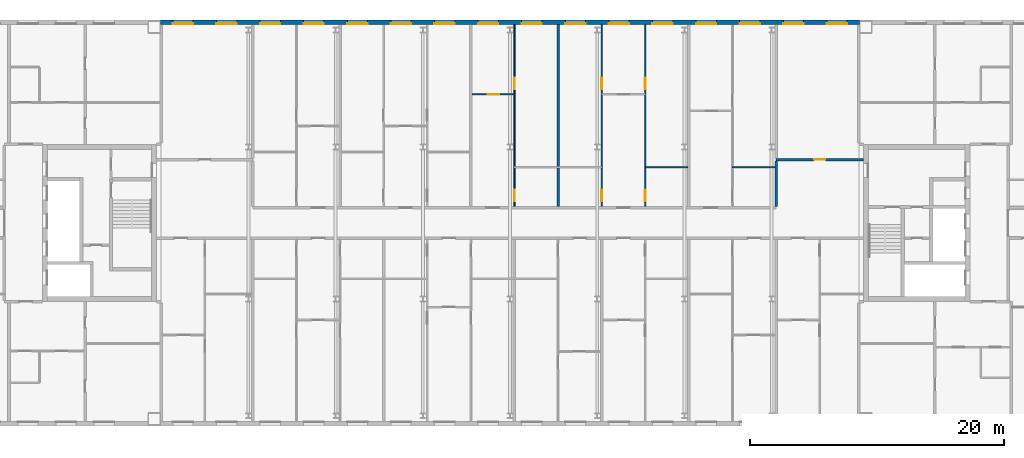
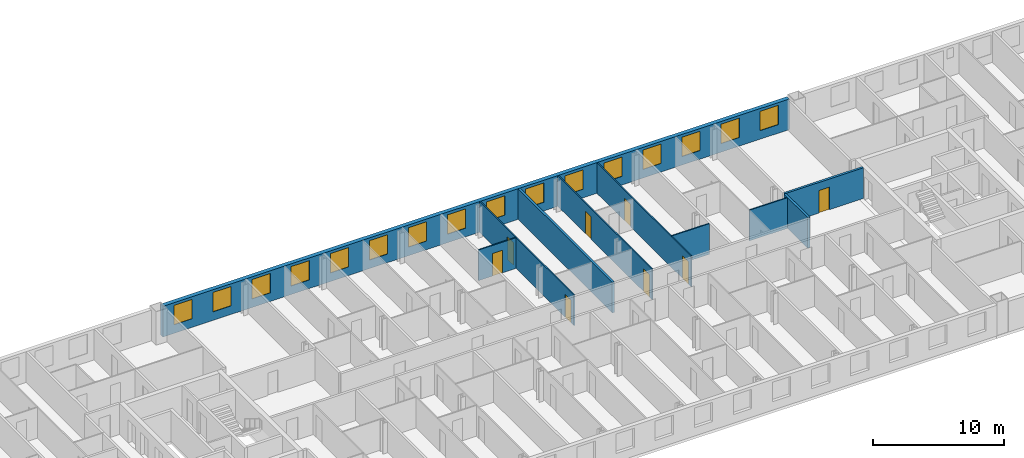
# One storey, part 12 of 19: 16 windows, 10 walls, 8 doors, 24 openings.
"""IFC4 building model written with IfcOpenShell, lengths in metres."""

from ifc_helpers import new_model, si_unit, direction, frame, frame_2d, origin, place, context, subcontext, project, spatial, rectangle, extrude, material, layer, layer_set, type_object, element, fill, save


model = new_model("IFC4")

# Units and contexts
model_context = context("Model", 3, precision=1e-05, world=origin(), true_north=direction((0.0, 1.0)))
body_context = subcontext(model_context, "Body", "Model", "MODEL_VIEW")
ifc_project = project(units=[si_unit("LENGTHUNIT", "METRE"), si_unit("AREAUNIT", "SQUARE_METRE"), si_unit("VOLUMEUNIT", "CUBIC_METRE"), si_unit("PLANEANGLEUNIT", "RADIAN"), si_unit("MASSUNIT", "GRAM", prefix="KILO")], contexts=[model_context])

# Site, building, storey
site_placement = place(None, origin())
site = spatial("IfcSite", under=ifc_project, at=site_placement, CompositionType="ELEMENT")
building_placement = place(site_placement, origin())
building = spatial("IfcBuilding", under=site, at=building_placement, Name="Tuart Gate Housing", CompositionType="ELEMENT")
storey_placement = place(building_placement, frame((0.0, 0.0, 227.60009765625)))
storey = spatial("IfcBuildingStorey", under=building, at=storey_placement, Name="L64", CompositionType="ELEMENT", Elevation=227.60009765625)

# Wall, openings, windows
ifc_material_1 = material(Name="Brick", Category="masonry")
ifc_layer_1 = layer(ifc_material_1, 0.360107421875)
ifc_layer_set_1 = layer_set([ifc_layer_1], Name="Brick pier and spandrel wall 360")
wall_type_1 = type_object("IfcWallType", Name="Brick pier and spandrel wall 360", PredefinedType="STANDARD", material=ifc_layer_set_1)
wall_1_placement = place(storey_placement, frame((131.050048828125, 85.820068359375, 0.0), z_axis=(0.0, 0.0, 1.0), x_axis=(-1.0, 0.0, 0.0)))
wall_1 = element("IfcWall", 1, at=wall_1_placement, inside=storey, type_object=wall_type_1, Name="External wall BLK-N L64", PredefinedType="STANDARD", context=body_context, shape_type="SweptSolid", body=[
    extrude(rectangle(XDim=55.10009765625, YDim=0.360107421875, at=frame_2d((27.550048828125, 0.0))), origin(), (0.0, 0.0, 1.0), 2.849853515625),
])
opening_1_placement = place(wall_1_placement, frame((0.96875, 0.0, 0.800048828125)))
opening_1 = element("IfcOpeningElement", 2, at=opening_1_placement, cuts=wall_1, Name="Opening W1", PredefinedType="OPENING", context=body_context, shape_type="SweptSolid", body=[
    extrude(rectangle(XDim=1.60009765625, YDim=1.800048828125, at=frame_2d((0.800048828125, 0.89990234375))), frame((0.0, 0.18994140625, 0.0), z_axis=(0.0, -1.0, 0.0), x_axis=(1.0, 0.0, 0.0)), (0.0, 0.0, 1.0), 0.380126953125),
])
opening_2_placement = place(wall_1_placement, frame((4.40625, 0.0, 0.800048828125)))
opening_2 = element("IfcOpeningElement", 3, at=opening_2_placement, cuts=wall_1, Name="Opening W1", PredefinedType="OPENING", context=body_context, shape_type="SweptSolid", body=[
    extrude(rectangle(XDim=1.60009765625, YDim=1.800048828125, at=frame_2d((0.800048828125, 0.89990234375))), frame((0.0, 0.18994140625, 0.0), z_axis=(0.0, -1.0, 0.0), x_axis=(1.0, 0.0, 0.0)), (0.0, 0.0, 1.0), 0.380126953125),
])
opening_3_placement = place(wall_1_placement, frame((7.84375, 0.0, 0.800048828125)))
opening_3 = element("IfcOpeningElement", 4, at=opening_3_placement, cuts=wall_1, Name="Opening W1", PredefinedType="OPENING", context=body_context, shape_type="SweptSolid", body=[
    extrude(rectangle(XDim=1.60009765625, YDim=1.800048828125, at=frame_2d((0.800048828125, 0.89990234375))), frame((0.0, 0.18994140625, 0.0), z_axis=(0.0, -1.0, 0.0), x_axis=(1.0, 0.0, 0.0)), (0.0, 0.0, 1.0), 0.380126953125),
])
opening_4_placement = place(wall_1_placement, frame((11.28125, 0.0, 0.800048828125)))
opening_4 = element("IfcOpeningElement", 5, at=opening_4_placement, cuts=wall_1, Name="Opening W1", PredefinedType="OPENING", context=body_context, shape_type="SweptSolid", body=[
    extrude(rectangle(XDim=1.60009765625, YDim=1.800048828125, at=frame_2d((0.800048828125, 0.89990234375))), frame((0.0, 0.18994140625, 0.0), z_axis=(0.0, -1.0, 0.0), x_axis=(1.0, 0.0, 0.0)), (0.0, 0.0, 1.0), 0.380126953125),
])
opening_5_placement = place(wall_1_placement, frame((14.71875, 0.0, 0.800048828125)))
opening_5 = element("IfcOpeningElement", 6, at=opening_5_placement, cuts=wall_1, Name="Opening W1", PredefinedType="OPENING", context=body_context, shape_type="SweptSolid", body=[
    extrude(rectangle(XDim=1.60009765625, YDim=1.800048828125, at=frame_2d((0.800048828125, 0.89990234375))), frame((0.0, 0.18994140625, 0.0), z_axis=(0.0, -1.0, 0.0), x_axis=(1.0, 0.0, 0.0)), (0.0, 0.0, 1.0), 0.380126953125),
])
opening_6_placement = place(wall_1_placement, frame((18.15625, 0.0, 0.800048828125)))
opening_6 = element("IfcOpeningElement", 7, at=opening_6_placement, cuts=wall_1, Name="Opening W1", PredefinedType="OPENING", context=body_context, shape_type="SweptSolid", body=[
    extrude(rectangle(XDim=1.60009765625, YDim=1.800048828125, at=frame_2d((0.800048828125, 0.89990234375))), frame((0.0, 0.18994140625, 0.0), z_axis=(0.0, -1.0, 0.0), x_axis=(1.0, 0.0, 0.0)), (0.0, 0.0, 1.0), 0.380126953125),
])
opening_7_placement = place(wall_1_placement, frame((21.59375, 0.0, 0.800048828125)))
opening_7 = element("IfcOpeningElement", 8, at=opening_7_placement, cuts=wall_1, Name="Opening W1", PredefinedType="OPENING", context=body_context, shape_type="SweptSolid", body=[
    extrude(rectangle(XDim=1.60009765625, YDim=1.800048828125, at=frame_2d((0.800048828125, 0.89990234375))), frame((0.0, 0.18994140625, 0.0), z_axis=(0.0, -1.0, 0.0), x_axis=(1.0, 0.0, 0.0)), (0.0, 0.0, 1.0), 0.380126953125),
])
opening_8_placement = place(wall_1_placement, frame((25.03125, 0.0, 0.800048828125)))
opening_8 = element("IfcOpeningElement", 9, at=opening_8_placement, cuts=wall_1, Name="Opening W1", PredefinedType="OPENING", context=body_context, shape_type="SweptSolid", body=[
    extrude(rectangle(XDim=1.60009765625, YDim=1.800048828125, at=frame_2d((0.800048828125, 0.89990234375))), frame((0.0, 0.18994140625, 0.0), z_axis=(0.0, -1.0, 0.0), x_axis=(1.0, 0.0, 0.0)), (0.0, 0.0, 1.0), 0.380126953125),
])
opening_9_placement = place(wall_1_placement, frame((28.46875, 0.0, 0.800048828125)))
opening_9 = element("IfcOpeningElement", 10, at=opening_9_placement, cuts=wall_1, Name="Opening W1", PredefinedType="OPENING", context=body_context, shape_type="SweptSolid", body=[
    extrude(rectangle(XDim=1.60009765625, YDim=1.800048828125, at=frame_2d((0.800048828125, 0.89990234375))), frame((0.0, 0.18994140625, 0.0), z_axis=(0.0, -1.0, 0.0), x_axis=(1.0, 0.0, 0.0)), (0.0, 0.0, 1.0), 0.380126953125),
])
opening_10_placement = place(wall_1_placement, frame((31.90625, 0.0, 0.800048828125)))
opening_10 = element("IfcOpeningElement", 11, at=opening_10_placement, cuts=wall_1, Name="Opening W1", PredefinedType="OPENING", context=body_context, shape_type="SweptSolid", body=[
    extrude(rectangle(XDim=1.60009765625, YDim=1.800048828125, at=frame_2d((0.800048828125, 0.89990234375))), frame((0.0, 0.18994140625, 0.0), z_axis=(0.0, -1.0, 0.0), x_axis=(1.0, 0.0, 0.0)), (0.0, 0.0, 1.0), 0.380126953125),
])
opening_11_placement = place(wall_1_placement, frame((35.34375, 0.0, 0.800048828125)))
opening_11 = element("IfcOpeningElement", 12, at=opening_11_placement, cuts=wall_1, Name="Opening W1", PredefinedType="OPENING", context=body_context, shape_type="SweptSolid", body=[
    extrude(rectangle(XDim=1.60009765625, YDim=1.800048828125, at=frame_2d((0.800048828125, 0.89990234375))), frame((0.0, 0.18994140625, 0.0), z_axis=(0.0, -1.0, 0.0), x_axis=(1.0, 0.0, 0.0)), (0.0, 0.0, 1.0), 0.380126953125),
])
opening_12_placement = place(wall_1_placement, frame((38.78125, 0.0, 0.800048828125)))
opening_12 = element("IfcOpeningElement", 13, at=opening_12_placement, cuts=wall_1, Name="Opening W1", PredefinedType="OPENING", context=body_context, shape_type="SweptSolid", body=[
    extrude(rectangle(XDim=1.60009765625, YDim=1.800048828125, at=frame_2d((0.800048828125, 0.89990234375))), frame((0.0, 0.18994140625, 0.0), z_axis=(0.0, -1.0, 0.0), x_axis=(1.0, 0.0, 0.0)), (0.0, 0.0, 1.0), 0.380126953125),
])
opening_13_placement = place(wall_1_placement, frame((42.21875, 0.0, 0.800048828125)))
opening_13 = element("IfcOpeningElement", 14, at=opening_13_placement, cuts=wall_1, Name="Opening W1", PredefinedType="OPENING", context=body_context, shape_type="SweptSolid", body=[
    extrude(rectangle(XDim=1.60009765625, YDim=1.800048828125, at=frame_2d((0.800048828125, 0.89990234375))), frame((0.0, 0.18994140625, 0.0), z_axis=(0.0, -1.0, 0.0), x_axis=(1.0, 0.0, 0.0)), (0.0, 0.0, 1.0), 0.380126953125),
])
opening_14_placement = place(wall_1_placement, frame((45.65625, 0.0, 0.800048828125)))
opening_14 = element("IfcOpeningElement", 15, at=opening_14_placement, cuts=wall_1, Name="Opening W1", PredefinedType="OPENING", context=body_context, shape_type="SweptSolid", body=[
    extrude(rectangle(XDim=1.60009765625, YDim=1.800048828125, at=frame_2d((0.800048828125, 0.89990234375))), frame((0.0, 0.18994140625, 0.0), z_axis=(0.0, -1.0, 0.0), x_axis=(1.0, 0.0, 0.0)), (0.0, 0.0, 1.0), 0.380126953125),
])
opening_15_placement = place(wall_1_placement, frame((49.09375, 0.0, 0.800048828125)))
opening_15 = element("IfcOpeningElement", 16, at=opening_15_placement, cuts=wall_1, Name="Opening W1", PredefinedType="OPENING", context=body_context, shape_type="SweptSolid", body=[
    extrude(rectangle(XDim=1.60009765625, YDim=1.800048828125, at=frame_2d((0.800048828125, 0.89990234375))), frame((0.0, 0.18994140625, 0.0), z_axis=(0.0, -1.0, 0.0), x_axis=(1.0, 0.0, 0.0)), (0.0, 0.0, 1.0), 0.380126953125),
])
opening_16_placement = place(wall_1_placement, frame((52.53125, 0.0, 0.800048828125)))
opening_16 = element("IfcOpeningElement", 17, at=opening_16_placement, cuts=wall_1, Name="Opening W1", PredefinedType="OPENING", context=body_context, shape_type="SweptSolid", body=[
    extrude(rectangle(XDim=1.60009765625, YDim=1.800048828125, at=frame_2d((0.800048828125, 0.89990234375))), frame((0.0, 0.18994140625, 0.0), z_axis=(0.0, -1.0, 0.0), x_axis=(1.0, 0.0, 0.0)), (0.0, 0.0, 1.0), 0.380126953125),
])
ifc_material_2 = material(Name="Aluminium frame with clear glass", Category="aluminium")
window_type = type_object("IfcWindowType", Name="Punched window 1600 x 1800", PartitioningType="SINGLE_PANEL", PredefinedType="WINDOW", material=ifc_material_2)
window_1_placement = place(opening_1_placement, origin())
window_1 = element("IfcWindow", 18, at=window_1_placement, inside=storey, type_object=window_type, Name="Window W1", OverallHeight=1.800048828125, OverallWidth=1.60009765625, PartitioningType="SINGLE_PANEL", PredefinedType="WINDOW", context=body_context, shape_type="SweptSolid", body=[
    extrude(rectangle(XDim=1.60009765625, YDim=1.800048828125, at=frame_2d((0.800048828125, 0.89990234375))), frame((0.0, 0.150146484375, 0.0), z_axis=(0.0, -1.0, 0.0), x_axis=(1.0, 0.0, 0.0)), (0.0, 0.0, 1.0), 0.06005859375),
])
fill(opening_1, window_1)
window_2_placement = place(opening_2_placement, origin())
window_2 = element("IfcWindow", 19, at=window_2_placement, inside=storey, type_object=window_type, Name="Window W1", OverallHeight=1.800048828125, OverallWidth=1.60009765625, PartitioningType="SINGLE_PANEL", PredefinedType="WINDOW", context=body_context, shape_type="SweptSolid", body=[
    extrude(rectangle(XDim=1.60009765625, YDim=1.800048828125, at=frame_2d((0.800048828125, 0.89990234375))), frame((0.0, 0.150146484375, 0.0), z_axis=(0.0, -1.0, 0.0), x_axis=(1.0, 0.0, 0.0)), (0.0, 0.0, 1.0), 0.06005859375),
])
fill(opening_2, window_2)
window_3_placement = place(opening_3_placement, origin())
window_3 = element("IfcWindow", 20, at=window_3_placement, inside=storey, type_object=window_type, Name="Window W1", OverallHeight=1.800048828125, OverallWidth=1.60009765625, PartitioningType="SINGLE_PANEL", PredefinedType="WINDOW", context=body_context, shape_type="SweptSolid", body=[
    extrude(rectangle(XDim=1.60009765625, YDim=1.800048828125, at=frame_2d((0.800048828125, 0.89990234375))), frame((0.0, 0.150146484375, 0.0), z_axis=(0.0, -1.0, 0.0), x_axis=(1.0, 0.0, 0.0)), (0.0, 0.0, 1.0), 0.06005859375),
])
fill(opening_3, window_3)
window_4_placement = place(opening_4_placement, origin())
window_4 = element("IfcWindow", 21, at=window_4_placement, inside=storey, type_object=window_type, Name="Window W1", OverallHeight=1.800048828125, OverallWidth=1.60009765625, PartitioningType="SINGLE_PANEL", PredefinedType="WINDOW", context=body_context, shape_type="SweptSolid", body=[
    extrude(rectangle(XDim=1.60009765625, YDim=1.800048828125, at=frame_2d((0.800048828125, 0.89990234375))), frame((0.0, 0.150146484375, 0.0), z_axis=(0.0, -1.0, 0.0), x_axis=(1.0, 0.0, 0.0)), (0.0, 0.0, 1.0), 0.06005859375),
])
fill(opening_4, window_4)
window_5_placement = place(opening_5_placement, origin())
window_5 = element("IfcWindow", 22, at=window_5_placement, inside=storey, type_object=window_type, Name="Window W1", OverallHeight=1.800048828125, OverallWidth=1.60009765625, PartitioningType="SINGLE_PANEL", PredefinedType="WINDOW", context=body_context, shape_type="SweptSolid", body=[
    extrude(rectangle(XDim=1.60009765625, YDim=1.800048828125, at=frame_2d((0.800048828125, 0.89990234375))), frame((0.0, 0.150146484375, 0.0), z_axis=(0.0, -1.0, 0.0), x_axis=(1.0, 0.0, 0.0)), (0.0, 0.0, 1.0), 0.06005859375),
])
fill(opening_5, window_5)
window_6_placement = place(opening_6_placement, origin())
window_6 = element("IfcWindow", 23, at=window_6_placement, inside=storey, type_object=window_type, Name="Window W1", OverallHeight=1.800048828125, OverallWidth=1.60009765625, PartitioningType="SINGLE_PANEL", PredefinedType="WINDOW", context=body_context, shape_type="SweptSolid", body=[
    extrude(rectangle(XDim=1.60009765625, YDim=1.800048828125, at=frame_2d((0.800048828125, 0.89990234375))), frame((0.0, 0.150146484375, 0.0), z_axis=(0.0, -1.0, 0.0), x_axis=(1.0, 0.0, 0.0)), (0.0, 0.0, 1.0), 0.06005859375),
])
fill(opening_6, window_6)
window_7_placement = place(opening_7_placement, origin())
window_7 = element("IfcWindow", 24, at=window_7_placement, inside=storey, type_object=window_type, Name="Window W1", OverallHeight=1.800048828125, OverallWidth=1.60009765625, PartitioningType="SINGLE_PANEL", PredefinedType="WINDOW", context=body_context, shape_type="SweptSolid", body=[
    extrude(rectangle(XDim=1.60009765625, YDim=1.800048828125, at=frame_2d((0.800048828125, 0.89990234375))), frame((0.0, 0.150146484375, 0.0), z_axis=(0.0, -1.0, 0.0), x_axis=(1.0, 0.0, 0.0)), (0.0, 0.0, 1.0), 0.06005859375),
])
fill(opening_7, window_7)
window_8_placement = place(opening_8_placement, origin())
window_8 = element("IfcWindow", 25, at=window_8_placement, inside=storey, type_object=window_type, Name="Window W1", OverallHeight=1.800048828125, OverallWidth=1.60009765625, PartitioningType="SINGLE_PANEL", PredefinedType="WINDOW", context=body_context, shape_type="SweptSolid", body=[
    extrude(rectangle(XDim=1.60009765625, YDim=1.800048828125, at=frame_2d((0.800048828125, 0.89990234375))), frame((0.0, 0.150146484375, 0.0), z_axis=(0.0, -1.0, 0.0), x_axis=(1.0, 0.0, 0.0)), (0.0, 0.0, 1.0), 0.06005859375),
])
fill(opening_8, window_8)
window_9_placement = place(opening_9_placement, origin())
window_9 = element("IfcWindow", 26, at=window_9_placement, inside=storey, type_object=window_type, Name="Window W1", OverallHeight=1.800048828125, OverallWidth=1.60009765625, PartitioningType="SINGLE_PANEL", PredefinedType="WINDOW", context=body_context, shape_type="SweptSolid", body=[
    extrude(rectangle(XDim=1.60009765625, YDim=1.800048828125, at=frame_2d((0.800048828125, 0.89990234375))), frame((0.0, 0.150146484375, 0.0), z_axis=(0.0, -1.0, 0.0), x_axis=(1.0, 0.0, 0.0)), (0.0, 0.0, 1.0), 0.06005859375),
])
fill(opening_9, window_9)
window_10_placement = place(opening_10_placement, origin())
window_10 = element("IfcWindow", 27, at=window_10_placement, inside=storey, type_object=window_type, Name="Window W1", OverallHeight=1.800048828125, OverallWidth=1.60009765625, PartitioningType="SINGLE_PANEL", PredefinedType="WINDOW", context=body_context, shape_type="SweptSolid", body=[
    extrude(rectangle(XDim=1.60009765625, YDim=1.800048828125, at=frame_2d((0.800048828125, 0.89990234375))), frame((0.0, 0.150146484375, 0.0), z_axis=(0.0, -1.0, 0.0), x_axis=(1.0, 0.0, 0.0)), (0.0, 0.0, 1.0), 0.06005859375),
])
fill(opening_10, window_10)
window_11_placement = place(opening_11_placement, origin())
window_11 = element("IfcWindow", 28, at=window_11_placement, inside=storey, type_object=window_type, Name="Window W1", OverallHeight=1.800048828125, OverallWidth=1.60009765625, PartitioningType="SINGLE_PANEL", PredefinedType="WINDOW", context=body_context, shape_type="SweptSolid", body=[
    extrude(rectangle(XDim=1.60009765625, YDim=1.800048828125, at=frame_2d((0.800048828125, 0.89990234375))), frame((0.0, 0.150146484375, 0.0), z_axis=(0.0, -1.0, 0.0), x_axis=(1.0, 0.0, 0.0)), (0.0, 0.0, 1.0), 0.06005859375),
])
fill(opening_11, window_11)
window_12_placement = place(opening_12_placement, origin())
window_12 = element("IfcWindow", 29, at=window_12_placement, inside=storey, type_object=window_type, Name="Window W1", OverallHeight=1.800048828125, OverallWidth=1.60009765625, PartitioningType="SINGLE_PANEL", PredefinedType="WINDOW", context=body_context, shape_type="SweptSolid", body=[
    extrude(rectangle(XDim=1.60009765625, YDim=1.800048828125, at=frame_2d((0.800048828125, 0.89990234375))), frame((0.0, 0.150146484375, 0.0), z_axis=(0.0, -1.0, 0.0), x_axis=(1.0, 0.0, 0.0)), (0.0, 0.0, 1.0), 0.06005859375),
])
fill(opening_12, window_12)
window_13_placement = place(opening_13_placement, origin())
window_13 = element("IfcWindow", 30, at=window_13_placement, inside=storey, type_object=window_type, Name="Window W1", OverallHeight=1.800048828125, OverallWidth=1.60009765625, PartitioningType="SINGLE_PANEL", PredefinedType="WINDOW", context=body_context, shape_type="SweptSolid", body=[
    extrude(rectangle(XDim=1.60009765625, YDim=1.800048828125, at=frame_2d((0.800048828125, 0.89990234375))), frame((0.0, 0.150146484375, 0.0), z_axis=(0.0, -1.0, 0.0), x_axis=(1.0, 0.0, 0.0)), (0.0, 0.0, 1.0), 0.06005859375),
])
fill(opening_13, window_13)
window_14_placement = place(opening_14_placement, origin())
window_14 = element("IfcWindow", 31, at=window_14_placement, inside=storey, type_object=window_type, Name="Window W1", OverallHeight=1.800048828125, OverallWidth=1.60009765625, PartitioningType="SINGLE_PANEL", PredefinedType="WINDOW", context=body_context, shape_type="SweptSolid", body=[
    extrude(rectangle(XDim=1.60009765625, YDim=1.800048828125, at=frame_2d((0.800048828125, 0.89990234375))), frame((0.0, 0.150146484375, 0.0), z_axis=(0.0, -1.0, 0.0), x_axis=(1.0, 0.0, 0.0)), (0.0, 0.0, 1.0), 0.06005859375),
])
fill(opening_14, window_14)
window_15_placement = place(opening_15_placement, origin())
window_15 = element("IfcWindow", 32, at=window_15_placement, inside=storey, type_object=window_type, Name="Window W1", OverallHeight=1.800048828125, OverallWidth=1.60009765625, PartitioningType="SINGLE_PANEL", PredefinedType="WINDOW", context=body_context, shape_type="SweptSolid", body=[
    extrude(rectangle(XDim=1.60009765625, YDim=1.800048828125, at=frame_2d((0.800048828125, 0.89990234375))), frame((0.0, 0.150146484375, 0.0), z_axis=(0.0, -1.0, 0.0), x_axis=(1.0, 0.0, 0.0)), (0.0, 0.0, 1.0), 0.06005859375),
])
fill(opening_15, window_15)
window_16_placement = place(opening_16_placement, origin())
window_16 = element("IfcWindow", 33, at=window_16_placement, inside=storey, type_object=window_type, Name="Window W1", OverallHeight=1.800048828125, OverallWidth=1.60009765625, PartitioningType="SINGLE_PANEL", PredefinedType="WINDOW", context=body_context, shape_type="SweptSolid", body=[
    extrude(rectangle(XDim=1.60009765625, YDim=1.800048828125, at=frame_2d((0.800048828125, 0.89990234375))), frame((0.0, 0.150146484375, 0.0), z_axis=(0.0, -1.0, 0.0), x_axis=(1.0, 0.0, 0.0)), (0.0, 0.0, 1.0), 0.06005859375),
])
fill(opening_16, window_16)

# Wall, opening, door
ifc_material_3 = material(Name="Concrete masonry 15 MPa", Category="masonry")
ifc_layer_2 = layer(ifc_material_3, 0.199951171875)
ifc_layer_set_2 = layer_set([ifc_layer_2], Name="Corridor wall masonry 200")
wall_type_2 = type_object("IfcWallType", Name="Corridor wall masonry 200", PredefinedType="PARTITIONING", material=ifc_layer_set_2)
wall_2_placement = place(storey_placement, frame((124.47509765625, 75.0, 0.0), z_axis=(0.0, 0.0, 1.0), x_axis=(1.0, 0.0, 0.0)))
wall_2 = element("IfcWall", 34, at=wall_2_placement, inside=storey, type_object=wall_type_2, Name="Corridor wall masonry 200", PredefinedType="PARTITIONING", context=body_context, shape_type="SweptSolid", body=[
    extrude(rectangle(XDim=6.885009765625, YDim=0.199951171875, at=frame_2d((3.4423828125, 0.0))), origin(), (0.0, 0.0, 1.0), 2.849853515625),
])
opening_17_placement = place(wall_2_placement, frame((2.992431640625, 0.0, 0.0)))
opening_17 = element("IfcOpeningElement", 35, at=opening_17_placement, cuts=wall_2, Name="Opening D2353", PredefinedType="OPENING", context=body_context, shape_type="SweptSolid", body=[
    extrude(rectangle(XDim=0.89990234375, YDim=2.10009765625, at=frame_2d((0.449951171875, 1.050048828125))), frame((0.0, 0.10986328125, 0.0), z_axis=(0.0, -1.0, 0.0), x_axis=(1.0, 0.0, 0.0)), (0.0, 0.0, 1.0), 0.219970703125),
])
ifc_material_4 = material(Name="Timber door leaf in steel frame", Category="steel")
door_type_1 = type_object("IfcDoorType", Name="Internal door 900", OperationType="SINGLE_SWING_LEFT", PredefinedType="DOOR", material=ifc_material_4)
door_1_placement = place(opening_17_placement, origin())
door_1 = element("IfcDoor", 36, at=door_1_placement, inside=storey, type_object=door_type_1, Name="Internal door", OperationType="SINGLE_SWING_LEFT", OverallHeight=2.10009765625, OverallWidth=0.89990234375, PredefinedType="DOOR", context=body_context, shape_type="SweptSolid", body=[
    extrude(rectangle(XDim=0.89990234375, YDim=2.10009765625, at=frame_2d((0.449951171875, 1.050048828125))), frame((0.0, 0.02490234375, 0.0), z_axis=(0.0, -1.0, 0.0), x_axis=(1.0, 0.0, 0.0)), (0.0, 0.0, 1.0), 0.050048828125),
])
fill(opening_17, door_1)

# Walls
wall_3_placement = place(storey_placement, frame((124.47509765625, 71.300048828125, 0.0), z_axis=(0.0, 0.0, 1.0), x_axis=(0.0, 1.0, 0.0)))
element("IfcWall", 37, at=wall_3_placement, inside=storey, type_object=wall_type_2, Name="Corridor wall masonry 200", PredefinedType="PARTITIONING", context=body_context, shape_type="SweptSolid", body=[
    extrude(rectangle(XDim=3.599853515625, YDim=0.199951171875, at=frame_2d((1.7998046875, 0.0))), origin(), (0.0, 0.0, 1.0), 2.849853515625),
])
ifc_material_5 = material(Name="Gypsum board on steel studs", Category="steel")
ifc_layer_3 = layer(ifc_material_5, 0.10009765625)
ifc_layer_set_3 = layer_set([ifc_layer_3], Name="Partition 100")
wall_type_3 = type_object("IfcWallType", Name="Partition 100", PredefinedType="PARTITIONING", material=ifc_layer_set_3)
for number, where, z_axis, x_axis, name in (
    (38, (114.162109375, 74.39990234375, 0.0), (0.0, 0.0, 1.0), (1.0, 0.0, 0.0), "Partition 100"),
    (39, (121.037109375, 74.39990234375, 0.0), (0.0, 0.0, 1.0), (1.0, 0.0, 0.0), "Partition 100"),
):
    element("IfcWall", number, at=place(storey_placement, frame(where, z_axis=z_axis, x_axis=x_axis)), inside=storey, type_object=wall_type_3, Name=name, PredefinedType="PARTITIONING", context=body_context, shape_type="SweptSolid", body=[
        extrude(rectangle(XDim=3.337890625, YDim=0.10009765625, at=frame_2d((1.6689453125, 0.0))), origin(), (0.0, 0.0, 1.0), 2.849853515625),
    ])

# Wall, opening, door
wall_4_placement = place(storey_placement, frame((100.511962890625, 80.139892578125, 0.0), z_axis=(0.0, 0.0, 1.0), x_axis=(1.0, 0.0, 0.0)))
wall_4 = element("IfcWall", 40, at=wall_4_placement, inside=storey, type_object=wall_type_3, Name="Partition 100", PredefinedType="PARTITIONING", context=body_context, shape_type="SweptSolid", body=[
    extrude(rectangle(XDim=3.338134765625, YDim=0.10009765625, at=frame_2d((1.6689453125, 0.0))), origin(), (0.0, 0.0, 1.0), 2.849853515625),
])
opening_18_placement = place(wall_4_placement, frame((1.218994140625, 0.0, 0.0)))
opening_18 = element("IfcOpeningElement", 41, at=opening_18_placement, cuts=wall_4, Name="Opening D2333", PredefinedType="OPENING", context=body_context, shape_type="SweptSolid", body=[
    extrude(rectangle(XDim=0.89990234375, YDim=2.10009765625, at=frame_2d((0.449951171875, 1.050048828125))), frame((0.0, 0.06005859375, 0.0), z_axis=(0.0, -1.0, 0.0), x_axis=(1.0, 0.0, 0.0)), (0.0, 0.0, 1.0), 0.1201171875),
])
door_2_placement = place(opening_18_placement, frame((0.89990234375, 0.0, 0.0), z_axis=(0.0, 0.0, 1.0), x_axis=(-1.0, 0.0, 0.0)))
door_2 = element("IfcDoor", 42, at=door_2_placement, inside=storey, type_object=door_type_1, Name="Internal door", OperationType="SINGLE_SWING_LEFT", OverallHeight=2.10009765625, OverallWidth=0.89990234375, PredefinedType="DOOR", context=body_context, shape_type="SweptSolid", body=[
    extrude(rectangle(XDim=0.89990234375, YDim=2.10009765625, at=frame_2d((0.449951171875, 1.050048828125))), frame((0.0, 0.025146484375, 0.0), z_axis=(0.0, -1.0, 0.0), x_axis=(1.0, 0.0, 0.0)), (0.0, 0.0, 1.0), 0.050048828125),
])
fill(opening_18, door_2)

# Wall, openings, doors
wall_5_placement = place(storey_placement, frame((103.85009765625, 71.300048828125, 0.0), z_axis=(0.0, 0.0, 1.0), x_axis=(0.0, 1.0, 0.0)))
wall_5 = element("IfcWall", 43, at=wall_5_placement, inside=storey, type_object=wall_type_3, Name="Partition 100", PredefinedType="PARTITIONING", context=body_context, shape_type="SweptSolid", body=[
    extrude(rectangle(XDim=14.33984375, YDim=0.10009765625, at=frame_2d((7.169921875, 0.0))), origin(), (0.0, 0.0, 1.0), 2.849853515625),
])
opening_19_placement = place(wall_5_placement, frame((9.239990234375, 0.0, 0.0)))
opening_19 = element("IfcOpeningElement", 44, at=opening_19_placement, cuts=wall_5, Name="Opening D2343", PredefinedType="OPENING", context=body_context, shape_type="SweptSolid", body=[
    extrude(rectangle(XDim=0.89990234375, YDim=2.10009765625, at=frame_2d((0.449951171875, 1.050048828125))), frame((0.0, 0.06005859375, 0.0), z_axis=(0.0, -1.0, 0.0), x_axis=(1.0, 0.0, 0.0)), (0.0, 0.0, 1.0), 0.1201171875),
])
opening_20_placement = place(wall_5_placement, frame((0.39990234375, 0.0, 0.0)))
opening_20 = element("IfcOpeningElement", 45, at=opening_20_placement, cuts=wall_5, Name="Opening D2342", PredefinedType="OPENING", context=body_context, shape_type="SweptSolid", body=[
    extrude(rectangle(XDim=0.89990234375, YDim=2.10009765625, at=frame_2d((0.449951171875, 1.050048828125))), frame((0.0, 0.06005859375, 0.0), z_axis=(0.0, -1.0, 0.0), x_axis=(1.0, 0.0, 0.0)), (0.0, 0.0, 1.0), 0.1201171875),
])
ifc_material_6 = material(Name="Timber door leaf in steel frame", Category="steel")
door_type_2 = type_object("IfcDoorType", Name="Bathroom door 900 RH", OperationType="SINGLE_SWING_RIGHT", PredefinedType="DOOR", material=ifc_material_6)
door_3_placement = place(opening_20_placement, frame((0.89990234375, 0.0, 0.0), z_axis=(0.0, 0.0, 1.0), x_axis=(-1.0, 0.0, 0.0)))
door_3 = element("IfcDoor", 46, at=door_3_placement, inside=storey, type_object=door_type_2, Name="Bathroom door", OperationType="SINGLE_SWING_RIGHT", OverallHeight=2.10009765625, OverallWidth=0.89990234375, PredefinedType="DOOR", context=body_context, shape_type="SweptSolid", body=[
    extrude(rectangle(XDim=0.89990234375, YDim=2.10009765625, at=frame_2d((0.449951171875, 1.050048828125))), frame((0.0, 0.025146484375, 0.0), z_axis=(0.0, -1.0, 0.0), x_axis=(1.0, 0.0, 0.0)), (0.0, 0.0, 1.0), 0.050048828125),
])
fill(opening_20, door_3)
door_4_placement = place(opening_19_placement, frame((0.89990234375, 0.0, 0.0), z_axis=(0.0, 0.0, 1.0), x_axis=(-1.0, 0.0, 0.0)))
door_4 = element("IfcDoor", 47, at=door_4_placement, inside=storey, type_object=door_type_1, Name="Internal door", OperationType="SINGLE_SWING_LEFT", OverallHeight=2.10009765625, OverallWidth=0.89990234375, PredefinedType="DOOR", context=body_context, shape_type="SweptSolid", body=[
    extrude(rectangle(XDim=0.89990234375, YDim=2.10009765625, at=frame_2d((0.449951171875, 1.050048828125))), frame((0.0, 0.025146484375, 0.0), z_axis=(0.0, -1.0, 0.0), x_axis=(1.0, 0.0, 0.0)), (0.0, 0.0, 1.0), 0.050048828125),
])
fill(opening_19, door_4)

wall_6_placement = place(storey_placement, frame((110.72509765625, 71.300048828125, 0.0), z_axis=(0.0, 0.0, 1.0), x_axis=(0.0, 1.0, 0.0)))
wall_6 = element("IfcWall", 48, at=wall_6_placement, inside=storey, type_object=wall_type_3, Name="Partition 100", PredefinedType="PARTITIONING", context=body_context, shape_type="SweptSolid", body=[
    extrude(rectangle(XDim=14.33984375, YDim=0.10009765625, at=frame_2d((7.169921875, 0.0))), origin(), (0.0, 0.0, 1.0), 2.849853515625),
])
opening_21_placement = place(wall_6_placement, frame((9.239990234375, 0.0, 0.0)))
opening_21 = element("IfcOpeningElement", 49, at=opening_21_placement, cuts=wall_6, Name="Opening D2345", PredefinedType="OPENING", context=body_context, shape_type="SweptSolid", body=[
    extrude(rectangle(XDim=0.89990234375, YDim=2.10009765625, at=frame_2d((0.449951171875, 1.050048828125))), frame((0.0, 0.06005859375, 0.0), z_axis=(0.0, -1.0, 0.0), x_axis=(1.0, 0.0, 0.0)), (0.0, 0.0, 1.0), 0.1201171875),
])
opening_22_placement = place(wall_6_placement, frame((0.39990234375, 0.0, 0.0)))
opening_22 = element("IfcOpeningElement", 50, at=opening_22_placement, cuts=wall_6, Name="Opening D2344", PredefinedType="OPENING", context=body_context, shape_type="SweptSolid", body=[
    extrude(rectangle(XDim=0.89990234375, YDim=2.10009765625, at=frame_2d((0.449951171875, 1.050048828125))), frame((0.0, 0.06005859375, 0.0), z_axis=(0.0, -1.0, 0.0), x_axis=(1.0, 0.0, 0.0)), (0.0, 0.0, 1.0), 0.1201171875),
])
ifc_material_7 = material(Name="Timber door leaf in steel frame", Category="steel")
door_type_3 = type_object("IfcDoorType", Name="Bathroom door 900", OperationType="SINGLE_SWING_LEFT", PredefinedType="DOOR", material=ifc_material_7)
door_5_placement = place(opening_22_placement, origin())
door_5 = element("IfcDoor", 51, at=door_5_placement, inside=storey, type_object=door_type_3, Name="Bathroom door", OperationType="SINGLE_SWING_LEFT", OverallHeight=2.10009765625, OverallWidth=0.89990234375, PredefinedType="DOOR", context=body_context, shape_type="SweptSolid", body=[
    extrude(rectangle(XDim=0.89990234375, YDim=2.10009765625, at=frame_2d((0.449951171875, 1.050048828125))), frame((0.0, 0.02490234375, 0.0), z_axis=(0.0, -1.0, 0.0), x_axis=(1.0, 0.0, 0.0)), (0.0, 0.0, 1.0), 0.050048828125),
])
fill(opening_22, door_5)
ifc_material_8 = material(Name="Timber door leaf in steel frame", Category="steel")
door_type_4 = type_object("IfcDoorType", Name="Internal door 900 RH", OperationType="SINGLE_SWING_RIGHT", PredefinedType="DOOR", material=ifc_material_8)
door_6_placement = place(opening_21_placement, origin())
door_6 = element("IfcDoor", 52, at=door_6_placement, inside=storey, type_object=door_type_4, Name="Internal door", OperationType="SINGLE_SWING_RIGHT", OverallHeight=2.10009765625, OverallWidth=0.89990234375, PredefinedType="DOOR", context=body_context, shape_type="SweptSolid", body=[
    extrude(rectangle(XDim=0.89990234375, YDim=2.10009765625, at=frame_2d((0.449951171875, 1.050048828125))), frame((0.0, 0.02490234375, 0.0), z_axis=(0.0, -1.0, 0.0), x_axis=(1.0, 0.0, 0.0)), (0.0, 0.0, 1.0), 0.050048828125),
])
fill(opening_21, door_6)

wall_7_placement = place(storey_placement, frame((114.162109375, 71.300048828125, 0.0), z_axis=(0.0, 0.0, 1.0), x_axis=(0.0, 1.0, 0.0)))
wall_7 = element("IfcWall", 53, at=wall_7_placement, inside=storey, type_object=wall_type_3, Name="Partition 100", PredefinedType="PARTITIONING", context=body_context, shape_type="SweptSolid", body=[
    extrude(rectangle(XDim=14.33984375, YDim=0.10009765625, at=frame_2d((7.169921875, 0.0))), origin(), (0.0, 0.0, 1.0), 2.849853515625),
])
opening_23_placement = place(wall_7_placement, frame((9.239990234375, 0.0, 0.0)))
opening_23 = element("IfcOpeningElement", 54, at=opening_23_placement, cuts=wall_7, Name="Opening D2347", PredefinedType="OPENING", context=body_context, shape_type="SweptSolid", body=[
    extrude(rectangle(XDim=0.89990234375, YDim=2.10009765625, at=frame_2d((0.449951171875, 1.050048828125))), frame((0.0, 0.06005859375, 0.0), z_axis=(0.0, -1.0, 0.0), x_axis=(1.0, 0.0, 0.0)), (0.0, 0.0, 1.0), 0.1201171875),
])
opening_24_placement = place(wall_7_placement, frame((0.39990234375, 0.0, 0.0)))
opening_24 = element("IfcOpeningElement", 55, at=opening_24_placement, cuts=wall_7, Name="Opening D2346", PredefinedType="OPENING", context=body_context, shape_type="SweptSolid", body=[
    extrude(rectangle(XDim=0.89990234375, YDim=2.10009765625, at=frame_2d((0.449951171875, 1.050048828125))), frame((0.0, 0.06005859375, 0.0), z_axis=(0.0, -1.0, 0.0), x_axis=(1.0, 0.0, 0.0)), (0.0, 0.0, 1.0), 0.1201171875),
])
door_7_placement = place(opening_24_placement, frame((0.89990234375, 0.0, 0.0), z_axis=(0.0, 0.0, 1.0), x_axis=(-1.0, 0.0, 0.0)))
door_7 = element("IfcDoor", 56, at=door_7_placement, inside=storey, type_object=door_type_2, Name="Bathroom door", OperationType="SINGLE_SWING_RIGHT", OverallHeight=2.10009765625, OverallWidth=0.89990234375, PredefinedType="DOOR", context=body_context, shape_type="SweptSolid", body=[
    extrude(rectangle(XDim=0.89990234375, YDim=2.10009765625, at=frame_2d((0.449951171875, 1.050048828125))), frame((0.0, 0.025146484375, 0.0), z_axis=(0.0, -1.0, 0.0), x_axis=(1.0, 0.0, 0.0)), (0.0, 0.0, 1.0), 0.050048828125),
])
fill(opening_24, door_7)
door_8_placement = place(opening_23_placement, frame((0.89990234375, 0.0, 0.0), z_axis=(0.0, 0.0, 1.0), x_axis=(-1.0, 0.0, 0.0)))
door_8 = element("IfcDoor", 57, at=door_8_placement, inside=storey, type_object=door_type_1, Name="Internal door", OperationType="SINGLE_SWING_LEFT", OverallHeight=2.10009765625, OverallWidth=0.89990234375, PredefinedType="DOOR", context=body_context, shape_type="SweptSolid", body=[
    extrude(rectangle(XDim=0.89990234375, YDim=2.10009765625, at=frame_2d((0.449951171875, 1.050048828125))), frame((0.0, 0.025146484375, 0.0), z_axis=(0.0, -1.0, 0.0), x_axis=(1.0, 0.0, 0.0)), (0.0, 0.0, 1.0), 0.050048828125),
])
fill(opening_23, door_8)

# Wall
ifc_material_9 = material(Name="Concrete masonry 15 MPa", Category="masonry")
ifc_layer_4 = layer(ifc_material_9, 0.199951171875)
ifc_layer_set_4 = layer_set([ifc_layer_4], Name="Party wall masonry 200")
wall_type_4 = type_object("IfcWallType", Name="Party wall masonry 200", PredefinedType="PARTITIONING", material=ifc_layer_set_4)
wall_8_placement = place(storey_placement, frame((107.287109375, 71.300048828125, 0.0), z_axis=(0.0, 0.0, 1.0), x_axis=(0.0, 1.0, 0.0)))
element("IfcWall", 58, at=wall_8_placement, inside=storey, type_object=wall_type_4, Name="Party wall masonry 200", PredefinedType="PARTITIONING", context=body_context, shape_type="SweptSolid", body=[
    extrude(rectangle(XDim=14.33984375, YDim=0.199951171875, at=frame_2d((7.169921875, 0.0))), origin(), (0.0, 0.0, 1.0), 2.849853515625),
])

save(model, "model.ifc")
